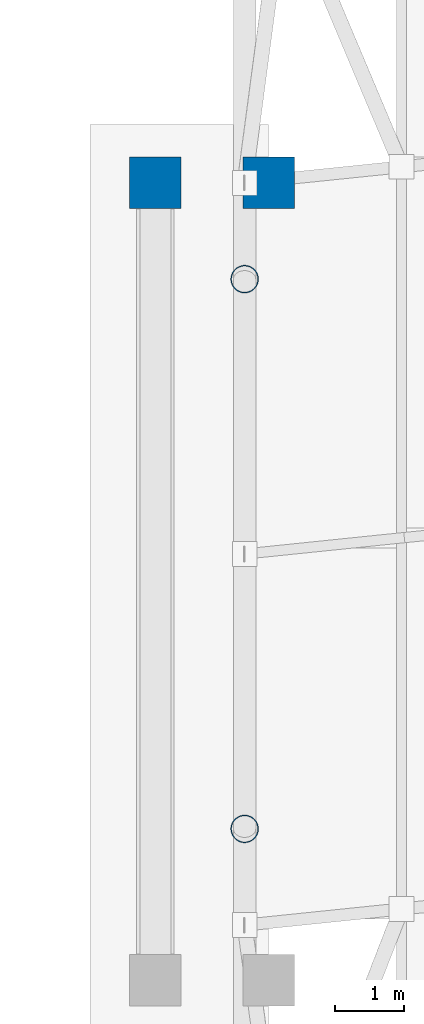
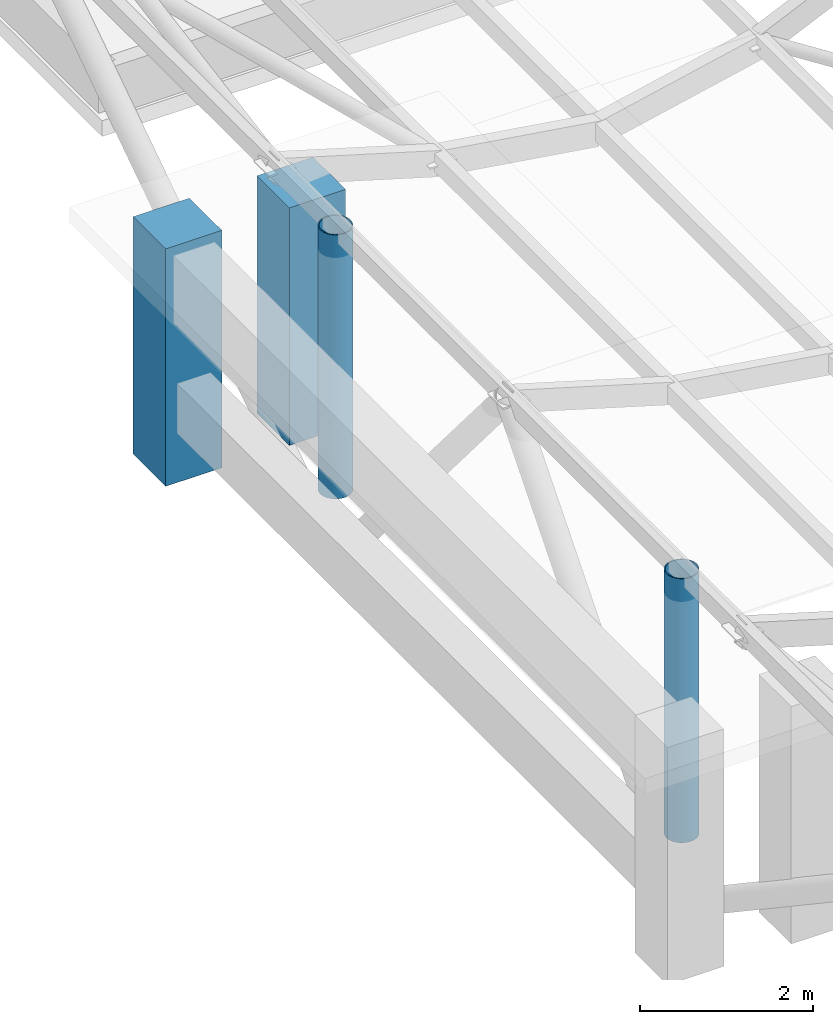
# One storey, part 2 of 79: 4 columns.
"""IFC4 building model written with IfcOpenShell, lengths in metres."""

from ifc_helpers import new_model, si_unit, direction, frame, origin, origin_2d, place, context, subcontext, project, spatial, rectangle, hollow_circle, extrude, material, material_profile, profile_set, type_object, element, save


model = new_model("IFC4")

# Units and contexts
model_context = context("Model", 3, precision=1e-05, world=origin(), true_north=direction((0.0, 1.0)))
body_context = subcontext(model_context, "Body", "Model", "MODEL_VIEW")
ifc_project = project(units=[si_unit("LENGTHUNIT", "METRE"), si_unit("AREAUNIT", "SQUARE_METRE"), si_unit("VOLUMEUNIT", "CUBIC_METRE"), si_unit("PLANEANGLEUNIT", "RADIAN"), si_unit("MASSUNIT", "GRAM", prefix="KILO")], contexts=[model_context])

# Site, building, storey
site_placement = place(None, origin())
site = spatial("IfcSite", under=ifc_project, at=site_placement, CompositionType="ELEMENT")
building_placement = place(site_placement, origin())
building = spatial("IfcBuilding", under=site, at=building_placement, Name="Kolvaren Faculty of Natural Sciences", CompositionType="ELEMENT")
storey_placement = place(building_placement, frame((0.0, 0.0, 10.199951171875)))
storey = spatial("IfcBuildingStorey", under=building, at=storey_placement, Name="L02", CompositionType="ELEMENT", Elevation=10.199951171875)

# Columns
ifc_material_1 = material(Name="Structural steel EN 10210-1 S355J2H (white architectural finish)", Category="steel")
ifc_material_profile_1 = material_profile(ifc_material_1, hollow_circle(Radius=0.203125, WallThickness=0.01416015625, at=origin_2d()), Name="CHS 406.4x14.2")
ifc_profile_set_1 = profile_set([ifc_material_profile_1], Name="Structural steel EN 10210-1 S355J2H (white architectural finish)")
column_type_1 = type_object("IfcColumnType", Name="PortalTreeTrunk_CHS406", PredefinedType="COLUMN", material=ifc_profile_set_1)
for number, where, z_axis, x_axis, name in (
    (1, (38.0, 51.199951171875, 0.0), (0.0, 0.0, 1.0), (1.0, 0.0, 0.0), "Covered street canopy portal column W-S (L02)"),
    (2, (38.0, 59.199951171875, 0.0), (0.0, 0.0, 1.0), (1.0, 0.0, 0.0), "Covered street canopy portal column W-N (L02)"),
):
    element("IfcColumn", number, at=place(storey_placement, frame(where, z_axis=z_axis, x_axis=x_axis)), inside=storey, type_object=column_type_1, Name=name, PredefinedType="COLUMN", context=body_context, shape_type="SweptSolid", body=[
        extrude(hollow_circle(Radius=0.203125, WallThickness=0.01416015625, at=origin_2d()), origin(), (0.0, 0.0, 1.0), 3.724609375),
    ])
ifc_material_2 = material(Name="Concrete C40/50", Category="concrete")
ifc_material_profile_2 = material_profile(ifc_material_2, rectangle(XDim=0.75, YDim=0.75, at=origin_2d()), Name="RC COL 750x750")
ifc_profile_set_2 = profile_set([ifc_material_profile_2], Name="Concrete C40/50")
column_type_2 = type_object("IfcColumnType", Name="TowerColumn_750x750", PredefinedType="COLUMN", material=ifc_profile_set_2)
for number, where, z_axis, x_axis, name in (
    (3, (36.699951171875, 60.60009765625, 0.0), (0.0, 0.0, 1.0), (1.0, 0.0, 0.0), "West Covered-Street Monumental Gateway Pishtaq monumental pier R (L02)"),
    (4, (38.35009765625, 60.60009765625, 0.0), (0.0, 0.0, 1.0), (1.0, 0.0, 0.0), "West Covered-Street Monumental Gateway Pishtaq monumental pier RB (L02)"),
):
    element("IfcColumn", number, at=place(storey_placement, frame(where, z_axis=z_axis, x_axis=x_axis)), inside=storey, type_object=column_type_2, Name=name, PredefinedType="COLUMN", context=body_context, shape_type="SweptSolid", body=[
        extrude(rectangle(XDim=0.75, YDim=0.75, at=origin_2d()), origin(), (0.0, 0.0, 1.0), 3.35009765625),
    ])

save(model, "model.ifc")
